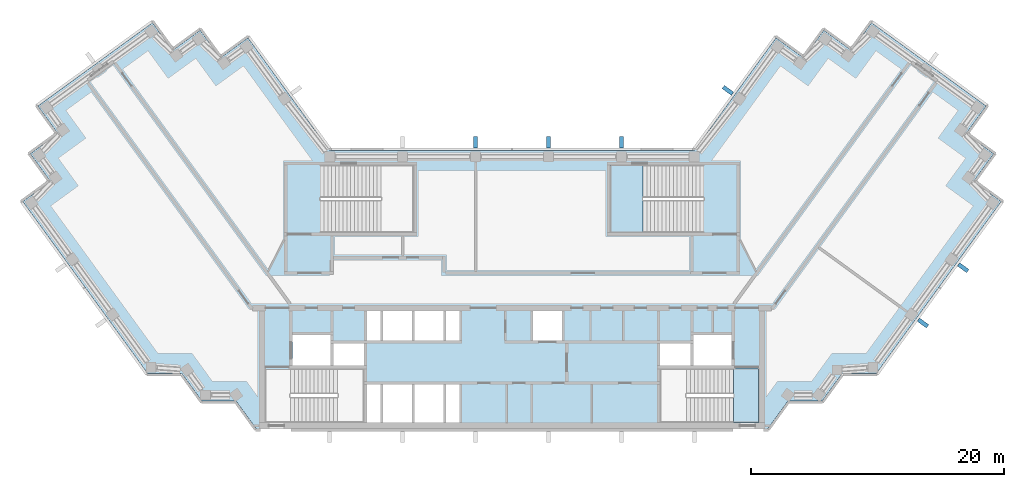
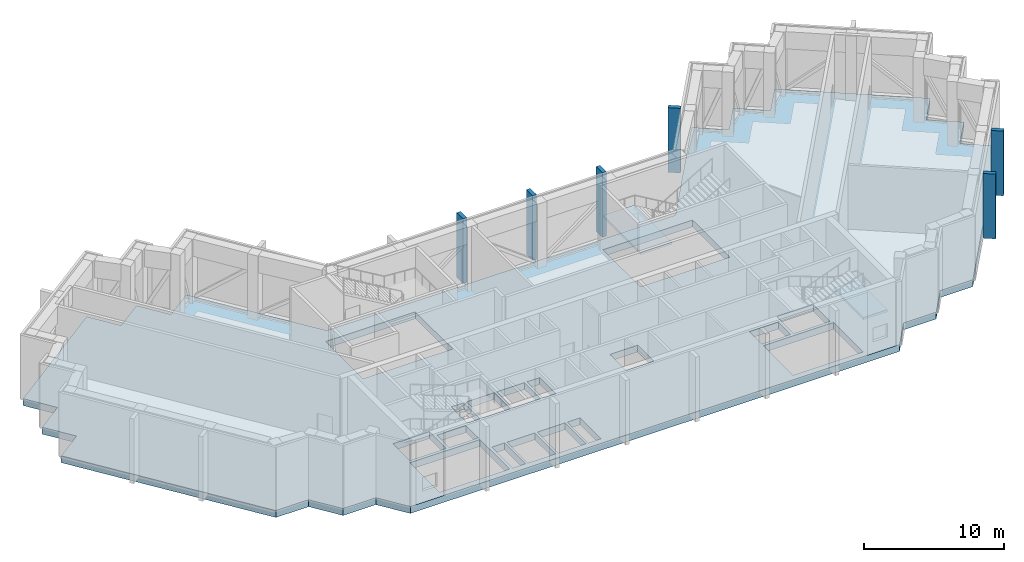
# One storey, part 5 of 15: 6 plates, 3 slabs, 2 elements without a shape of their own.
"""IFC4 building model written with IfcOpenShell, lengths in metres."""

from ifc_helpers import new_model, si_unit, direction, frame, origin, origin_2d, place, context, subcontext, project, spatial, polyline, rectangle, outline, extrude, material, layer, layer_set, type_object, element, aggregate, save


model = new_model("IFC4")

# Units and contexts
model_context = context("Model", 3, precision=1e-05, world=origin(), true_north=direction((0.0, 1.0)))
body_context = subcontext(model_context, "Body", "Model", "MODEL_VIEW")
ifc_project = project(units=[si_unit("LENGTHUNIT", "METRE"), si_unit("AREAUNIT", "SQUARE_METRE"), si_unit("VOLUMEUNIT", "CUBIC_METRE"), si_unit("PLANEANGLEUNIT", "RADIAN"), si_unit("MASSUNIT", "GRAM", prefix="KILO")], contexts=[model_context])

# Site, building, storey
site_placement = place(None, origin())
site = spatial("IfcSite", under=ifc_project, at=site_placement, CompositionType="ELEMENT")
building_placement = place(site_placement, origin())
building = spatial("IfcBuilding", under=site, at=building_placement, Name="Quipu Civic Tower", CompositionType="ELEMENT")
storey_placement = place(building_placement, frame((0.0, 0.0, 301.0)))
storey = spatial("IfcBuildingStorey", under=building, at=storey_placement, Name="L70", CompositionType="ELEMENT", Elevation=301.0)

# Slab
ifc_material_1 = material(Name="Concrete C40/50", Category="concrete")
ifc_layer_1 = layer(ifc_material_1, 0.60009765625)
ifc_layer_set_1 = layer_set([ifc_layer_1], Name="Concrete C40/50")
slab_type_1 = type_object("IfcSlabType", Name="Floor slab 600 C40/50", PredefinedType="FLOOR", material=ifc_layer_set_1)
slab_1_placement = place(storey_placement, frame((0.0, 0.0, -0.60009765625)))
element("IfcSlab", 1, at=slab_1_placement, inside=storey, type_object=slab_type_1, Name="Floor slab L70", PredefinedType="FLOOR", context=body_context, shape_type="SweptSolid", body=[
    extrude(outline(polyline([(20.860107421875, 19.89501953125), (23.0400390625, 18.31005859375), (24.6298828125, 20.4951171875), (26.81494140625, 18.905029296875), (28.39990234375, 21.090087890625), (37.4599609375, 14.5048828125), (35.875, 12.320068359375), (38.06005859375, 10.735107421875), (36.469970703125, 8.550048828125), (38.655029296875, 6.965087890625), (28.780029296875, -6.6298828125), (26.080078125, -6.6298828125), (24.489990234375, -8.81494140625), (21.7900390625, -8.81494140625), (20.205078125, -11.0), (-20.205078125, -11.0), (-21.7900390625, -8.81494140625), (-24.489990234375, -8.81494140625), (-26.080078125, -6.6298828125), (-28.780029296875, -6.6298828125), (-38.655029296875, 6.965087890625), (-36.469970703125, 8.550048828125), (-38.06005859375, 10.735107421875), (-35.875, 12.320068359375), (-37.4599609375, 14.5048828125), (-28.39990234375, 21.090087890625), (-26.81494140625, 18.905029296875), (-24.6298828125, 20.4951171875), (-23.0400390625, 18.31005859375), (-20.860107421875, 19.89501953125), (-14.39501953125, 11.0), (14.39501953125, 11.0), (20.860107421875, 19.89501953125)]), holes=[polyline([(-11.449951171875, -7.5), (-11.449951171875, -10.5), (-10.39990234375, -10.5), (-10.39990234375, -7.5), (-11.449951171875, -7.5)]), polyline([(-10.199951171875, -7.5), (-10.199951171875, -10.5), (-7.89990234375, -10.5), (-7.89990234375, -7.5), (-10.199951171875, -7.5)]), polyline([(-7.699951171875, -7.5), (-7.699951171875, -10.5), (-5.39990234375, -10.5), (-5.39990234375, -7.5), (-7.699951171875, -7.5)]), polyline([(-11.705078125, -6.2548828125), (-17.4951171875, -6.2548828125), (-17.4951171875, -10.4951171875), (-11.705078125, -10.4951171875), (-11.705078125, -6.2548828125)]), polyline([(-14.10009765625, -4.25), (-14.10009765625, -6.0), (-11.699951171875, -6.0), (-11.699951171875, -4.25), (-14.10009765625, -4.25)]), polyline([(-17.35009765625, -3.60009765625), (-17.35009765625, -6.0), (-14.35009765625, -6.0), (-14.35009765625, -3.60009765625), (-17.35009765625, -3.60009765625)]), polyline([(-11.449951171875, -1.699951171875), (-11.449951171875, -4.0), (-10.39990234375, -4.0), (-10.39990234375, -1.699951171875), (-11.449951171875, -1.699951171875)]), polyline([(-10.199951171875, -1.699951171875), (-10.199951171875, -4.0), (-7.89990234375, -4.0), (-7.89990234375, -1.699951171875), (-10.199951171875, -1.699951171875)]), polyline([(-7.7548828125, 9.844970703125), (-15.14501953125, 9.844970703125), (-15.14501953125, 4.5048828125), (-7.7548828125, 4.5048828125), (-7.7548828125, 9.844970703125)]), polyline([(-5.199951171875, -7.5), (-5.199951171875, -10.5), (-4.14990234375, -10.5), (-4.14990234375, -7.5), (-5.199951171875, -7.5)]), polyline([(11.705078125, -10.4951171875), (17.4951171875, -10.4951171875), (17.4951171875, -6.2548828125), (11.705078125, -6.2548828125), (11.705078125, -10.4951171875)]), polyline([(11.699951171875, -4.25), (11.699951171875, -6.0), (14.10009765625, -6.0), (14.10009765625, -4.25), (11.699951171875, -4.25)]), polyline([(14.35009765625, -3.60009765625), (14.35009765625, -6.0), (17.35009765625, -6.0), (17.35009765625, -3.60009765625), (14.35009765625, -3.60009765625)]), polyline([(-7.699951171875, -1.699951171875), (-7.699951171875, -4.0), (-5.39990234375, -4.0), (-5.39990234375, -1.699951171875), (-7.699951171875, -1.699951171875)]), polyline([(-5.199951171875, -1.699951171875), (-5.199951171875, -4.0), (-4.14990234375, -4.0), (-4.14990234375, -1.699951171875), (-5.199951171875, -1.699951171875)]), polyline([(3.949951171875, -1.699951171875), (1.64990234375, -1.699951171875), (1.64990234375, -4.0), (3.949951171875, -4.0), (3.949951171875, -1.699951171875)]), polyline([(7.7548828125, 9.844970703125), (7.7548828125, 4.5048828125), (15.14501953125, 4.5048828125), (15.14501953125, 9.844970703125), (7.7548828125, 9.844970703125)])]), origin(), (0.0, 0.0, 1.0), 0.60009765625),
])

# Plates
ifc_material_2 = material(Name="Precast concrete C40/50", Category="concrete")
plate_type = type_object("IfcPlateType", Name="Precast fin F3", PredefinedType="SHEET", material=ifc_material_2)
for number, where, z_axis, x_axis, name in (
    (2, (32.468994140625, -2.6376953125, 0.0), (0.0, 0.0, 1.0), (0.587786668783, 0.809015965233, 0.0), "Precast fin F3 L70.23.1"),
    (3, (35.64306640625, 1.73095703125, 0.0), (0.0, 0.0, 1.0), (0.587786668783, 0.809015965233, 0.0), "Precast fin F3 L70.23.2"),
    (4, (17.05322265625, 15.743896484375, 0.0), (0.0, 0.0, 1.0), (-0.58778443384, -0.809017589015, 0.0), "Precast fin F3 L70.33.1"),
    (5, (8.63720703125, 11.637939453125, 0.0), (0.0, 0.0, 1.0), (-1.0, 0.0, 0.0), "Precast fin F3 L70.34.1"),
    (6, (2.879150390625, 11.637939453125, 0.0), (0.0, 0.0, 1.0), (-1.0, 0.0, 0.0), "Precast fin F3 L70.34.2"),
    (7, (-2.87890625, 11.637939453125, 0.0), (0.0, 0.0, 1.0), (-1.0, 0.0, 0.0), "Precast fin F3 L70.34.3"),
):
    element("IfcPlate", number, at=place(storey_placement, frame(where, z_axis=z_axis, x_axis=x_axis)), inside=storey, type_object=plate_type, Name=name, PredefinedType="SHEET", context=body_context, shape_type="SweptSolid", body=[
        extrude(rectangle(XDim=0.320068359375, YDim=0.89990234375, at=origin_2d()), origin(), (0.0, 0.0, 1.0), 5.64990234375),
    ])

# Stair, slab
ifc_material_3 = material(Name="Concrete C40/50", Category="concrete")
stair_type_1 = type_object("IfcStairType", Name="Half turn stair 2000", PredefinedType="HALF_TURN_STAIR", material=ifc_material_3)
stair_1_placement = place(storey_placement, origin())
stair_1 = element("IfcStair", 8, at=stair_1_placement, inside=storey, type_object=stair_type_1, Name="Exit stair 2", PredefinedType="HALF_TURN_STAIR")
ifc_material_4 = material(Name="Concrete C40/50", Category="concrete")
ifc_layer_2 = layer(ifc_material_4, 0.199951171875)
ifc_layer_set_2 = layer_set([ifc_layer_2], Name="Concrete C40/50")
slab_type_2 = type_object("IfcSlabType", Name="Stair landing 200", PredefinedType="LANDING", material=ifc_layer_set_2)
slab_2_placement = place(storey_placement, frame((0.0, 0.0, 2.800048828125)))
slab_2 = element("IfcSlab", 9, at=slab_2_placement, type_object=slab_type_2, Name="ST-2 landing 2", PredefinedType="LANDING", context=body_context, shape_type="SweptSolid", body=[
    extrude(outline(polyline([(19.5, -6.25), (17.5, -6.25), (17.5, -10.5), (19.5, -10.5), (19.5, -6.25)])), origin(), (0.0, 0.0, 1.0), 0.199951171875),
])
aggregate(stair_1, [slab_2])

ifc_material_5 = material(Name="Concrete C40/50", Category="concrete")
stair_type_2 = type_object("IfcStairType", Name="Half turn stair 2600", PredefinedType="HALF_TURN_STAIR", material=ifc_material_5)
stair_2_placement = place(storey_placement, origin())
stair_2 = element("IfcStair", 10, at=stair_2_placement, inside=storey, type_object=stair_type_2, Name="Exit stair 4", PredefinedType="HALF_TURN_STAIR")
slab_3_placement = place(storey_placement, frame((0.0, 0.0, 2.800048828125)))
slab_3 = element("IfcSlab", 11, at=slab_3_placement, type_object=slab_type_2, Name="ST-4 landing 1", PredefinedType="LANDING", context=body_context, shape_type="SweptSolid", body=[
    extrude(outline(polyline([(10.35009765625, 9.85009765625), (7.75, 9.85009765625), (7.75, 4.5), (10.35009765625, 4.5), (10.35009765625, 9.85009765625)])), origin(), (0.0, 0.0, 1.0), 0.199951171875),
])
aggregate(stair_2, [slab_3])

save(model, "model.ifc")
